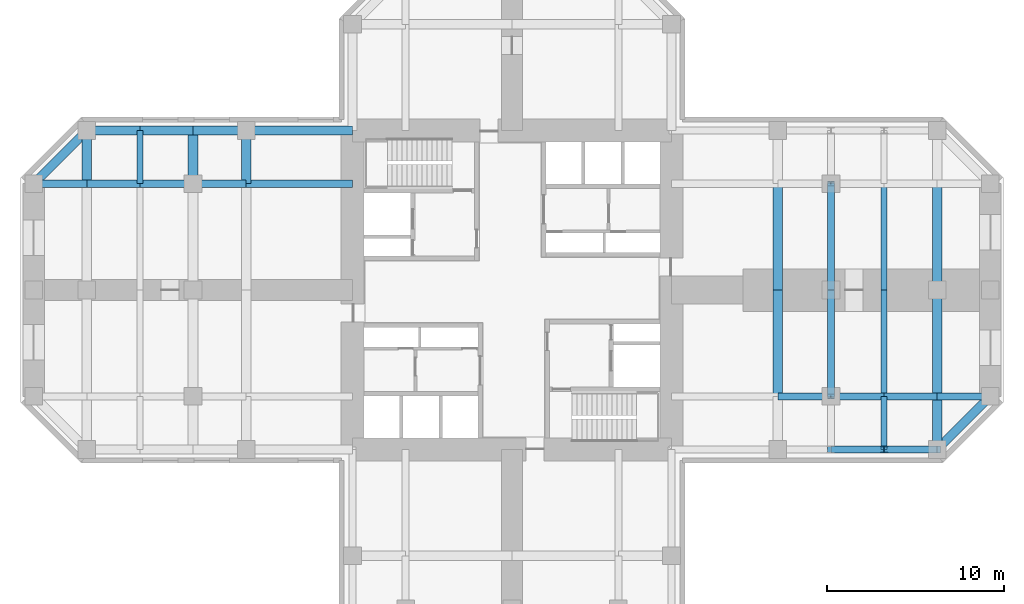
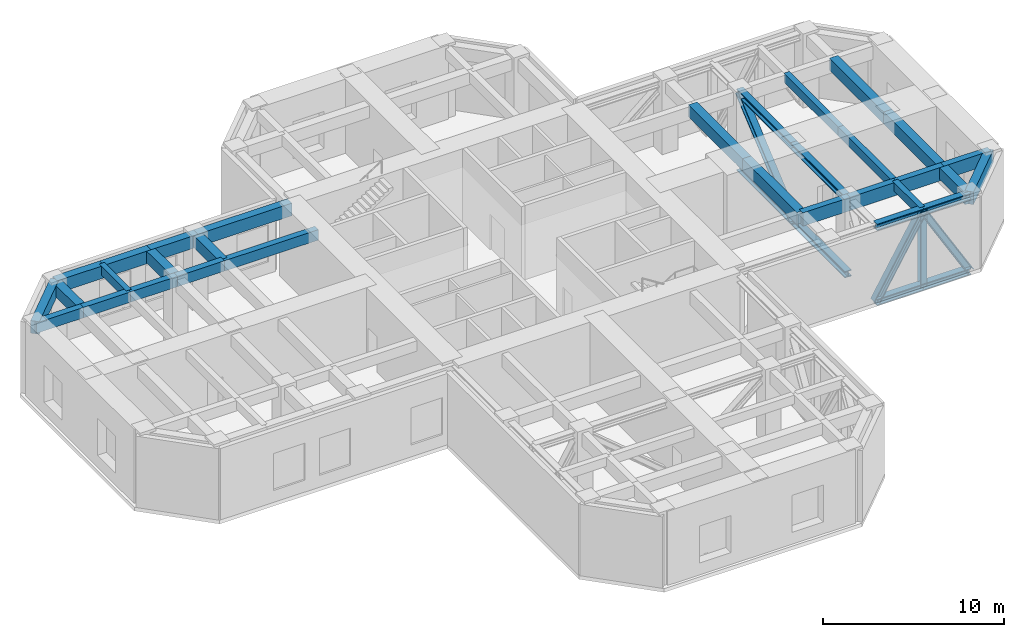
# One storey, part 3 of 8: 27 beams, 13 members.
"""IFC4 building model written with IfcOpenShell, lengths in metres."""

from ifc_helpers import new_model, si_unit, direction, frame, origin, origin_2d, place, context, subcontext, project, spatial, rectangle, i_section, extrude, material, material_profile, profile_set, type_object, element, save


model = new_model("IFC4")

# Units and contexts
model_context = context("Model", 3, precision=1e-05, world=origin(), true_north=direction((0.0, 1.0)))
body_context = subcontext(model_context, "Body", "Model", "MODEL_VIEW")
ifc_project = project(units=[si_unit("LENGTHUNIT", "METRE"), si_unit("AREAUNIT", "SQUARE_METRE"), si_unit("VOLUMEUNIT", "CUBIC_METRE"), si_unit("PLANEANGLEUNIT", "RADIAN"), si_unit("MASSUNIT", "GRAM", prefix="KILO")], contexts=[model_context])

# Site, building, storey
site_placement = place(None, origin())
site = spatial("IfcSite", under=ifc_project, at=site_placement, CompositionType="ELEMENT")
building_placement = place(site_placement, origin())
building = spatial("IfcBuilding", under=site, at=building_placement, Name="Torre Cruceta", CompositionType="ELEMENT")
storey_placement = place(building_placement, frame((0.0, 0.0, 164.5)))
storey = spatial("IfcBuildingStorey", under=building, at=storey_placement, Name="L40", CompositionType="ELEMENT", Elevation=164.5)

# Members
ifc_material_1 = material(Name="Steel A913 Gr65", Category="steel")
ifc_material_profile_1 = material_profile(ifc_material_1, i_section(OverallWidth=0.41162109375, OverallDepth=0.434326171875, WebThickness=0.035888671875, FlangeThickness=0.057373046875, at=origin_2d()), Name="W14X311")
ifc_profile_set_1 = profile_set([ifc_material_profile_1], Name="Steel A913 Gr65")
member_type_1 = type_object("IfcMemberType", Name="BELT TRUSS CHORD 2 W14X311", PredefinedType="CHORD", material=ifc_profile_set_1)
for number, where, z_axis, x_axis, name in (
    (1, (18.0, -9.0, -0.467041015625), (1.0, 0.0, 0.0), (0.0, 1.0, 0.0), "Belt truss 2 S-B3"),
    (2, (18.0, -9.0, 4.602783203125), (1.0, 0.0, 0.0), (0.0, 1.0, 0.0), "Belt truss 2 S-T3"),
    (3, (21.0, -9.0, -0.467041015625), (1.0, 0.0, 0.0), (0.0, 1.0, 0.0), "Belt truss 2 S-B4"),
    (4, (21.0, -9.0, 4.602783203125), (1.0, 0.0, 0.0), (0.0, 1.0, 0.0), "Belt truss 2 S-T4"),
):
    element("IfcMember", number, at=place(storey_placement, frame(where, z_axis=z_axis, x_axis=x_axis)), inside=storey, type_object=member_type_1, Name=name, PredefinedType="CHORD", context=body_context, shape_type="SweptSolid", body=[
        extrude(i_section(OverallWidth=0.41162109375, OverallDepth=0.434326171875, WebThickness=0.035888671875, FlangeThickness=0.057373046875, at=origin_2d()), origin(), (0.0, 0.0, 1.0), 3.0),
    ])
for number, where, z_axis, x_axis, name in (
    (5, (18.0, -6.0, -0.467041015625), (0.0, 1.0, 0.0), (-1.0, 0.0, 0.0), "Belt truss 2 XB2"),
    (6, (18.0, -6.0, 4.602783203125), (0.0, 1.0, 0.0), (-1.0, 0.0, 0.0), "Belt truss 2 XT2"),
    (7, (18.0, 0.0, -0.467041015625), (0.0, 1.0, 0.0), (-1.0, 0.0, 0.0), "Belt truss 2 XB3"),
    (8, (18.0, 0.0, 4.602783203125), (0.0, 1.0, 0.0), (-1.0, 0.0, 0.0), "Belt truss 2 XT3"),
):
    element("IfcMember", number, at=place(storey_placement, frame(where, z_axis=z_axis, x_axis=x_axis)), inside=storey, type_object=member_type_1, Name=name, PredefinedType="CHORD", context=body_context, shape_type="SweptSolid", body=[
        extrude(i_section(OverallWidth=0.41162109375, OverallDepth=0.434326171875, WebThickness=0.035888671875, FlangeThickness=0.057373046875, at=origin_2d()), origin(), (0.0, 0.0, 1.0), 6.0),
    ])
ifc_material_2 = material(Name="Steel A913 Gr65", Category="steel")
ifc_material_profile_2 = material_profile(ifc_material_2, i_section(OverallWidth=0.41162109375, OverallDepth=0.434326171875, WebThickness=0.035888671875, FlangeThickness=0.057373046875, at=origin_2d()), Name="W14X311")
ifc_profile_set_2 = profile_set([ifc_material_profile_2], Name="Steel A913 Gr65")
member_type_2 = type_object("IfcMemberType", Name="BELT TRUSS DIAGONAL 2 W14X311", PredefinedType="BRACE", material=ifc_profile_set_2)
for number, where, z_axis, x_axis, name in (
    (9, (18.0, -9.0, -0.467041015625), (0.509257001606, 0.0, 0.860614493438), (0.0, 1.0, 0.0), "Belt truss 2 S-D3"),
    (10, (24.0, -9.0, -0.467041015625), (-0.509257001606, 0.0, 0.860614493438), (0.0, -1.0, 0.0), "Belt truss 2 S-D4"),
):
    element("IfcMember", number, at=place(storey_placement, frame(where, z_axis=z_axis, x_axis=x_axis)), inside=storey, type_object=member_type_2, Name=name, PredefinedType="BRACE", context=body_context, shape_type="SweptSolid", body=[
        extrude(i_section(OverallWidth=0.41162109375, OverallDepth=0.434326171875, WebThickness=0.035888671875, FlangeThickness=0.057373046875, at=origin_2d()), origin(), (0.0, 0.0, 1.0), 5.890869140625),
    ])
for number, where, z_axis, x_axis, name in (
    (11, (18.0, 0.0, -0.467041015625), (0.0, -0.763831732231, 0.645415435853), (1.0, 0.0, 0.0), "Belt truss 2 XD2"),
    (12, (18.0, 0.0, -0.467041015625), (0.0, 0.763831732231, 0.645415435853), (-1.0, 0.0, 0.0), "Belt truss 2 XD3"),
):
    element("IfcMember", number, at=place(storey_placement, frame(where, z_axis=z_axis, x_axis=x_axis)), inside=storey, type_object=member_type_2, Name=name, PredefinedType="BRACE", context=body_context, shape_type="SweptSolid", body=[
        extrude(i_section(OverallWidth=0.41162109375, OverallDepth=0.434326171875, WebThickness=0.035888671875, FlangeThickness=0.057373046875, at=origin_2d()), origin(), (0.0, 0.0, 1.0), 7.855224609375),
    ])
ifc_material_3 = material(Name="Steel A913 Gr65", Category="steel")
ifc_material_profile_3 = material_profile(ifc_material_3, i_section(OverallWidth=0.393798828125, OverallDepth=0.3759765625, WebThickness=0.017333984375, FlangeThickness=0.027587890625, at=origin_2d()), Name="W14X145")
ifc_profile_set_3 = profile_set([ifc_material_profile_3], Name="Steel A913 Gr65")
member_type_3 = type_object("IfcMemberType", Name="BELT TRUSS POST 2 W14X145", PredefinedType="POST", material=ifc_profile_set_3)
member_placement = place(storey_placement, frame((21.0, -9.0, -0.467041015625), z_axis=(0.0, 0.0, 1.0), x_axis=(1.0, 0.0, 0.0)))
element("IfcMember", 13, at=member_placement, inside=storey, type_object=member_type_3, Name="Belt truss 2 S-P21", PredefinedType="POST", context=body_context, shape_type="SweptSolid", body=[
    extrude(i_section(OverallWidth=0.393798828125, OverallDepth=0.3759765625, WebThickness=0.017333984375, FlangeThickness=0.027587890625, at=origin_2d()), origin(), (0.0, 0.0, 1.0), 5.06982421875),
])

# Beams
ifc_material_4 = material(Name="Concrete G60 (fck 60 MPa)", Category="concrete")
ifc_material_profile_4 = material_profile(ifc_material_4, rectangle(XDim=0.39990234375, YDim=0.699951171875, at=origin_2d()), Name="RC 400X700")
ifc_profile_set_4 = profile_set([ifc_material_profile_4], Name="Concrete G60 (fck 60 MPa)")
beam_type_1 = type_object("IfcBeamType", Name="COLUMN LINE BEAM RC 400X700", PredefinedType="BEAM", material=ifc_profile_set_4)
beam_1_placement = place(storey_placement, frame((-9.0, 6.0, 4.469970703125), z_axis=(-1.0, 0.0, 0.0), x_axis=(0.0, -1.0, 0.0)))
element("IfcBeam", 14, at=beam_1_placement, inside=storey, type_object=beam_type_1, Name="LB5 L40 W col- 1", PredefinedType="BEAM", context=body_context, shape_type="SweptSolid", body=[
    extrude(rectangle(XDim=0.39990234375, YDim=0.699951171875, at=origin_2d()), origin(), (0.0, 0.0, 1.0), 6.0),
])
for number, where, z_axis, x_axis, name in (
    (15, (-15.0, 6.0, 4.469970703125), (-1.0, 0.0, 0.0), (0.0, -1.0, 0.0), "LB5 L40 W col- 2"),
    (16, (-18.0, 6.0, 4.469970703125), (-1.0, 0.0, 0.0), (0.0, -1.0, 0.0), "LB5 L40 W col- 3"),
    (17, (-21.0, 6.0, 4.469970703125), (-1.0, 0.0, 0.0), (0.0, -1.0, 0.0), "LB5 L40 W col- 4"),
    (18, (-24.0, 6.0, 4.469970703125), (-1.0, 0.0, 0.0), (0.0, -1.0, 0.0), "LB5 L40 W col- 5"),
):
    element("IfcBeam", number, at=place(storey_placement, frame(where, z_axis=z_axis, x_axis=x_axis)), inside=storey, type_object=beam_type_1, Name=name, PredefinedType="BEAM", context=body_context, shape_type="SweptSolid", body=[
        extrude(rectangle(XDim=0.39990234375, YDim=0.699951171875, at=origin_2d()), origin(), (0.0, 0.0, 1.0), 3.0),
    ])
ifc_material_5 = material(Name="Concrete G60 (fck 60 MPa)", Category="concrete")
ifc_material_profile_5 = material_profile(ifc_material_5, rectangle(XDim=0.39990234375, YDim=0.89990234375, at=origin_2d()), Name="RC 400X900")
ifc_profile_set_5 = profile_set([ifc_material_profile_5], Name="Concrete G60 (fck 60 MPa)")
beam_type_2 = type_object("IfcBeamType", Name="COLUMN LINE BEAM RC 400X900", PredefinedType="BEAM", material=ifc_profile_set_5)
for number, where, z_axis, x_axis, name in (
    (19, (15.0, -6.0, 4.3701171875), (1.0, 0.0, 0.0), (0.0, 1.0, 0.0), "LB6 L40 E col- 2"),
    (20, (18.0, -6.0, 4.3701171875), (1.0, 0.0, 0.0), (0.0, 1.0, 0.0), "LB6 L40 E col- 3"),
    (21, (21.0, -6.0, 4.3701171875), (1.0, 0.0, 0.0), (0.0, 1.0, 0.0), "LB6 L40 E col- 4"),
    (22, (24.0, -6.0, 4.3701171875), (1.0, 0.0, 0.0), (0.0, 1.0, 0.0), "LB6 L40 E col- 5"),
):
    element("IfcBeam", number, at=place(storey_placement, frame(where, z_axis=z_axis, x_axis=x_axis)), inside=storey, type_object=beam_type_2, Name=name, PredefinedType="BEAM", context=body_context, shape_type="SweptSolid", body=[
        extrude(rectangle(XDim=0.39990234375, YDim=0.89990234375, at=origin_2d()), origin(), (0.0, 0.0, 1.0), 3.0),
    ])
ifc_material_6 = material(Name="Concrete G60 (fck 60 MPa)", Category="concrete")
ifc_material_profile_6 = material_profile(ifc_material_6, rectangle(XDim=0.550048828125, YDim=0.800048828125, at=origin_2d()), Name="RC 550X800")
ifc_profile_set_6 = profile_set([ifc_material_profile_6], Name="Concrete G60 (fck 60 MPa)")
beam_type_3 = type_object("IfcBeamType", Name="CROSS BEAM RC 550X800", PredefinedType="BEAM", material=ifc_profile_set_6)
for number, where, z_axis, x_axis, name in (
    (23, (15.0, -6.0, 4.419921875), (0.0, 1.0, 0.0), (-1.0, 0.0, 0.0), "GB5 L40 E cross15 2"),
    (24, (15.0, 0.0, 4.419921875), (0.0, 1.0, 0.0), (-1.0, 0.0, 0.0), "GB5 L40 E cross15 3"),
):
    element("IfcBeam", number, at=place(storey_placement, frame(where, z_axis=z_axis, x_axis=x_axis)), inside=storey, type_object=beam_type_3, Name=name, PredefinedType="BEAM", context=body_context, shape_type="SweptSolid", body=[
        extrude(rectangle(XDim=0.550048828125, YDim=0.800048828125, at=origin_2d()), origin(), (0.0, 0.0, 1.0), 6.0),
    ])
beam_2_placement = place(storey_placement, frame((24.0, -9.0, 4.419921875), z_axis=(0.0, 1.0, 0.0), x_axis=(-1.0, 0.0, 0.0)))
element("IfcBeam", 25, at=beam_2_placement, inside=storey, type_object=beam_type_3, Name="GB5 L40 E cross24 1", PredefinedType="BEAM", context=body_context, shape_type="SweptSolid", body=[
    extrude(rectangle(XDim=0.550048828125, YDim=0.800048828125, at=origin_2d()), origin(), (0.0, 0.0, 1.0), 3.0),
])
for number, where, z_axis, x_axis, name in (
    (26, (24.0, -6.0, 4.419921875), (0.0, 1.0, 0.0), (-1.0, 0.0, 0.0), "GB5 L40 E cross24 2"),
    (27, (24.0, 0.0, 4.419921875), (0.0, 1.0, 0.0), (-1.0, 0.0, 0.0), "GB5 L40 E cross24 3"),
):
    element("IfcBeam", number, at=place(storey_placement, frame(where, z_axis=z_axis, x_axis=x_axis)), inside=storey, type_object=beam_type_3, Name=name, PredefinedType="BEAM", context=body_context, shape_type="SweptSolid", body=[
        extrude(rectangle(XDim=0.550048828125, YDim=0.800048828125, at=origin_2d()), origin(), (0.0, 0.0, 1.0), 6.0),
    ])
for number, where, z_axis, x_axis, name in (
    (28, (-15.0, 9.0, 4.419921875), (0.0, -1.0, 0.0), (1.0, 0.0, 0.0), "GB5 L40 W cross15 1"),
    (29, (-18.0, 9.0, 4.419921875), (0.0, -1.0, 0.0), (1.0, 0.0, 0.0), "GB5 L40 W cross18 1"),
    (30, (-24.0, 9.0, 4.419921875), (0.0, -1.0, 0.0), (1.0, 0.0, 0.0), "GB5 L40 W cross24 1"),
):
    element("IfcBeam", number, at=place(storey_placement, frame(where, z_axis=z_axis, x_axis=x_axis)), inside=storey, type_object=beam_type_3, Name=name, PredefinedType="BEAM", context=body_context, shape_type="SweptSolid", body=[
        extrude(rectangle(XDim=0.550048828125, YDim=0.800048828125, at=origin_2d()), origin(), (0.0, 0.0, 1.0), 3.0),
    ])
ifc_material_7 = material(Name="Concrete G60 (fck 60 MPa)", Category="concrete")
ifc_material_profile_7 = material_profile(ifc_material_7, rectangle(XDim=0.35009765625, YDim=0.60009765625, at=origin_2d()), Name="RC 350X600")
ifc_profile_set_7 = profile_set([ifc_material_profile_7], Name="Concrete G60 (fck 60 MPa)")
beam_type_4 = type_object("IfcBeamType", Name="SECONDARY BEAM RC 350X600", PredefinedType="JOIST", material=ifc_profile_set_7)
beam_3_placement = place(storey_placement, frame((21.0, -9.0, 4.52001953125), z_axis=(0.0, 1.0, 0.0), x_axis=(-1.0, 0.0, 0.0)))
element("IfcBeam", 31, at=beam_3_placement, inside=storey, type_object=beam_type_4, Name="JB5 L40 E sec21 1", PredefinedType="JOIST", context=body_context, shape_type="SweptSolid", body=[
    extrude(rectangle(XDim=0.35009765625, YDim=0.60009765625, at=origin_2d()), origin(), (0.0, 0.0, 1.0), 3.0),
])
for number, where, z_axis, x_axis, name in (
    (32, (21.0, -6.0, 4.52001953125), (0.0, 1.0, 0.0), (-1.0, 0.0, 0.0), "JB5 L40 E sec21 2"),
    (33, (21.0, 0.0, 4.52001953125), (0.0, 1.0, 0.0), (-1.0, 0.0, 0.0), "JB5 L40 E sec21 3"),
):
    element("IfcBeam", number, at=place(storey_placement, frame(where, z_axis=z_axis, x_axis=x_axis)), inside=storey, type_object=beam_type_4, Name=name, PredefinedType="JOIST", context=body_context, shape_type="SweptSolid", body=[
        extrude(rectangle(XDim=0.35009765625, YDim=0.60009765625, at=origin_2d()), origin(), (0.0, 0.0, 1.0), 6.0),
    ])
beam_4_placement = place(storey_placement, frame((-21.0, 9.0, 4.52001953125), z_axis=(0.0, -1.0, 0.0), x_axis=(1.0, 0.0, 0.0)))
element("IfcBeam", 34, at=beam_4_placement, inside=storey, type_object=beam_type_4, Name="JB5 L40 W sec21 1", PredefinedType="JOIST", context=body_context, shape_type="SweptSolid", body=[
    extrude(rectangle(XDim=0.35009765625, YDim=0.60009765625, at=origin_2d()), origin(), (0.0, 0.0, 1.0), 3.0),
])
ifc_material_8 = material(Name="Concrete G60 (fck 60 MPa)", Category="concrete")
ifc_material_profile_8 = material_profile(ifc_material_8, rectangle(XDim=0.5, YDim=0.85009765625, at=origin_2d()), Name="RC 500X850")
ifc_profile_set_8 = profile_set([ifc_material_profile_8], Name="Concrete G60 (fck 60 MPa)")
beam_type_5 = type_object("IfcBeamType", Name="SPANDREL BEAM RC 500X850", PredefinedType="SPANDREL", material=ifc_profile_set_8)
beam_5_placement = place(storey_placement, frame((24.0, -9.0, 4.39501953125), z_axis=(0.707106781187, 0.707106781187, 0.0), x_axis=(-0.707106781187, 0.707106781187, 0.0)))
element("IfcBeam", 35, at=beam_5_placement, inside=storey, type_object=beam_type_5, Name="SB5 L40 E side- 5", PredefinedType="SPANDREL", context=body_context, shape_type="SweptSolid", body=[
    extrude(rectangle(XDim=0.5, YDim=0.85009765625, at=origin_2d()), origin(), (0.0, 0.0, 1.0), 4.24267578125),
])
beam_6_placement = place(storey_placement, frame((-9.0, 9.0, 4.39501953125), z_axis=(-1.0, 0.0, 0.0), x_axis=(0.0, -1.0, 0.0)))
element("IfcBeam", 36, at=beam_6_placement, inside=storey, type_object=beam_type_5, Name="SB5 L40 W side- 1", PredefinedType="SPANDREL", context=body_context, shape_type="SweptSolid", body=[
    extrude(rectangle(XDim=0.5, YDim=0.85009765625, at=origin_2d()), origin(), (0.0, 0.0, 1.0), 6.0),
])
for number, where, z_axis, x_axis, name in (
    (37, (-15.0, 9.0, 4.39501953125), (-1.0, 0.0, 0.0), (0.0, -1.0, 0.0), "SB5 L40 W side- 2"),
    (38, (-18.0, 9.0, 4.39501953125), (-1.0, 0.0, 0.0), (0.0, -1.0, 0.0), "SB5 L40 W side- 3"),
    (39, (-21.0, 9.0, 4.39501953125), (-1.0, 0.0, 0.0), (0.0, -1.0, 0.0), "SB5 L40 W side- 4"),
):
    element("IfcBeam", number, at=place(storey_placement, frame(where, z_axis=z_axis, x_axis=x_axis)), inside=storey, type_object=beam_type_5, Name=name, PredefinedType="SPANDREL", context=body_context, shape_type="SweptSolid", body=[
        extrude(rectangle(XDim=0.5, YDim=0.85009765625, at=origin_2d()), origin(), (0.0, 0.0, 1.0), 3.0),
    ])
beam_7_placement = place(storey_placement, frame((-24.0, 9.0, 4.39501953125), z_axis=(-0.707106781187, -0.707106781187, 0.0), x_axis=(0.707106781187, -0.707106781187, 0.0)))
element("IfcBeam", 40, at=beam_7_placement, inside=storey, type_object=beam_type_5, Name="SB5 L40 W side- 5", PredefinedType="SPANDREL", context=body_context, shape_type="SweptSolid", body=[
    extrude(rectangle(XDim=0.5, YDim=0.85009765625, at=origin_2d()), origin(), (0.0, 0.0, 1.0), 4.24267578125),
])

save(model, "model.ifc")
